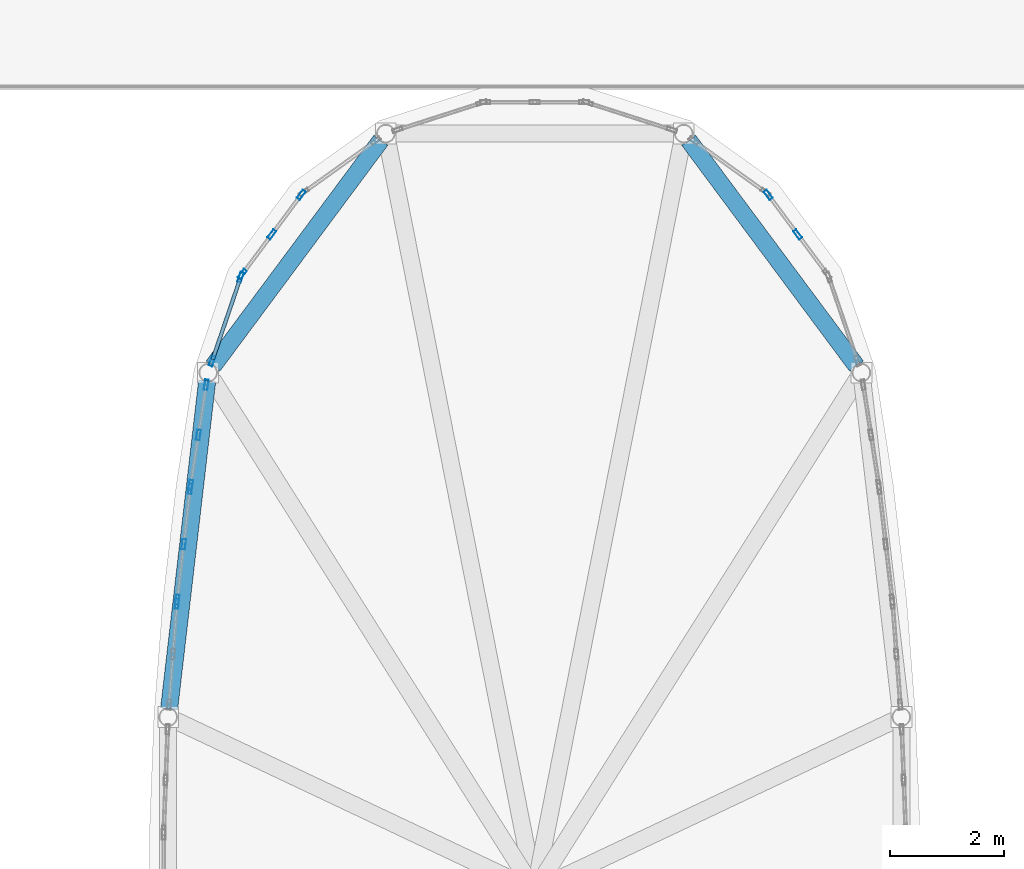
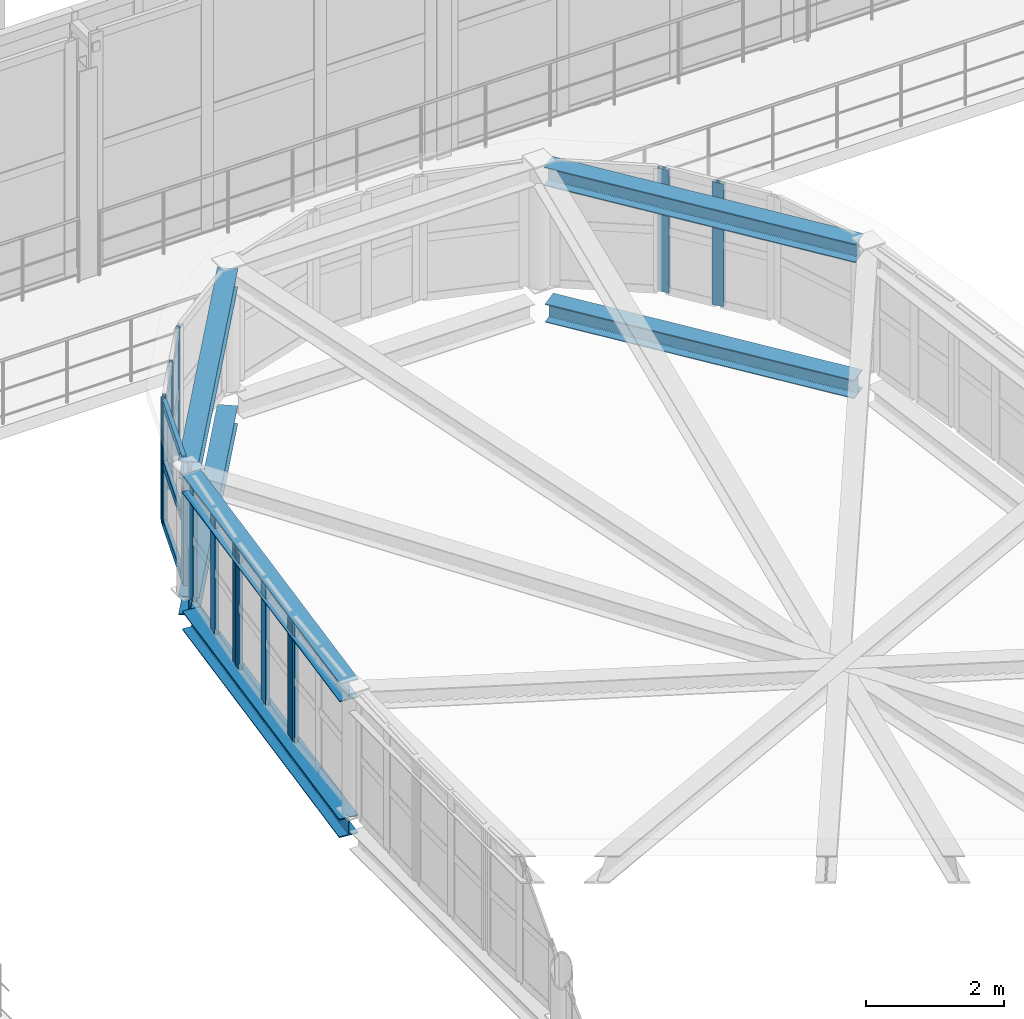
# One storey, part 35 of 78: 17 members, 6 beams, 6 elements without a shape of their own.
"""IFC4 building model written with IfcOpenShell, lengths in metres."""

from ifc_helpers import new_model, si_unit, direction, frame, origin, origin_2d, place, context, subcontext, project, spatial, hollow_rectangle, i_section, extrude, material, layer, layer_set, material_profile, profile_set, type_object, element, aggregate, save


model = new_model("IFC4")

# Units and contexts
model_context = context("Model", 3, precision=1e-05, world=origin(), true_north=direction((0.0, 1.0)))
body_context = subcontext(model_context, "Body", "Model", "MODEL_VIEW")
ifc_project = project(units=[si_unit("LENGTHUNIT", "METRE"), si_unit("AREAUNIT", "SQUARE_METRE"), si_unit("VOLUMEUNIT", "CUBIC_METRE"), si_unit("PLANEANGLEUNIT", "RADIAN"), si_unit("MASSUNIT", "GRAM", prefix="KILO")], contexts=[model_context])

# Site, building, storey
site_placement = place(None, origin())
site = spatial("IfcSite", under=ifc_project, at=site_placement, CompositionType="ELEMENT")
building_placement = place(site_placement, origin())
building = spatial("IfcBuilding", under=site, at=building_placement, Name="Vinh Khe Railworks Police Headquarters", CompositionType="ELEMENT")
storey_placement = place(building_placement, frame((0.0, 0.0, 13.199951171875)))
storey = spatial("IfcBuildingStorey", under=building, at=storey_placement, Name="L03", CompositionType="ELEMENT", Elevation=13.199951171875)

# Curtain wall, members
ifc_material_1 = material(Name="Anodised aluminium and acoustic laminated glass", Category="aluminium")
ifc_layer = layer(ifc_material_1, 0.159912109375)
ifc_layer_set = layer_set([ifc_layer], Name="Anodised aluminium and acoustic laminated glass")
curtain_wall_type = type_object("IfcCurtainWallType", Name="CW-DRUM-CHORD", PredefinedType="USERDEFINED", material=ifc_layer_set)
curtain_wall_1_placement = place(storey_placement, origin())
curtain_wall_1 = element("IfcCurtainWall", 1, at=curtain_wall_1_placement, inside=storey, type_object=curtain_wall_type, Name="Elliptical Command Drum Glazing L03 Chord 11", ObjectType="DRUM FACADE GLAZING", PredefinedType="USERDEFINED")
ifc_material_2 = material(Name="Anodised aluminium 6063-T6", Category="aluminium")
ifc_material_profile_1 = material_profile(ifc_material_2, hollow_rectangle(XDim=0.06494140625, YDim=0.179931640625, WallThickness=0.0048828125, at=origin_2d()), Name="CW-M 65x180x5")
ifc_profile_set_1 = profile_set([ifc_material_profile_1], Name="Anodised aluminium 6063-T6")
member_type_1 = type_object("IfcMemberType", Name="MULL-CWM-02", PredefinedType="MULLION", material=ifc_profile_set_1)
member_1_placement = place(storey_placement, frame((47.799072265625, 53.4736328125, 0.0), z_axis=(0.0, 0.0, 1.0), x_axis=(-0.802591949394, -0.596528425784, 0.0)))
member_1 = element("IfcMember", 2, at=member_1_placement, type_object=member_type_1, Name="CW-02 mullion 2", PredefinedType="MULLION", context=body_context, shape_type="SweptSolid", body=[
    extrude(hollow_rectangle(XDim=0.06494140625, YDim=0.179931640625, WallThickness=0.0048828125, at=origin_2d()), origin(), (0.0, 0.0, 1.0), 2.179931640625),
])
member_2_placement = place(storey_placement, frame((47.283447265625, 54.16748046875, 0.0), z_axis=(0.0, 0.0, 1.0), x_axis=(-0.802591949394, -0.596528425784, 0.0)))
member_2 = element("IfcMember", 3, at=member_2_placement, type_object=member_type_1, Name="CW-02 mullion 3", PredefinedType="MULLION", context=body_context, shape_type="SweptSolid", body=[
    extrude(hollow_rectangle(XDim=0.06494140625, YDim=0.179931640625, WallThickness=0.0048828125, at=origin_2d()), origin(), (0.0, 0.0, 1.0), 2.179931640625),
])
aggregate(curtain_wall_1, [member_1, member_2])

curtain_wall_2_placement = place(storey_placement, origin())
curtain_wall_2 = element("IfcCurtainWall", 4, at=curtain_wall_2_placement, inside=storey, type_object=curtain_wall_type, Name="Elliptical Command Drum Glazing L03 Chord 17", ObjectType="DRUM FACADE GLAZING", PredefinedType="USERDEFINED")
member_3_placement = place(storey_placement, frame((39.11669921875, 54.16748046875, 0.0), z_axis=(0.0, 0.0, 1.0), x_axis=(0.802591949394, -0.596528425784, 0.0)))
member_3 = element("IfcMember", 5, at=member_3_placement, type_object=member_type_1, Name="CW-02 mullion 1", PredefinedType="MULLION", context=body_context, shape_type="SweptSolid", body=[
    extrude(hollow_rectangle(XDim=0.06494140625, YDim=0.179931640625, WallThickness=0.0048828125, at=origin_2d()), origin(), (0.0, 0.0, 1.0), 2.179931640625),
])
member_4_placement = place(storey_placement, frame((38.60107421875, 53.4736328125, 0.0), z_axis=(0.0, 0.0, 1.0), x_axis=(0.802591949394, -0.596528425784, 0.0)))
member_4 = element("IfcMember", 6, at=member_4_placement, type_object=member_type_1, Name="CW-02 mullion 2", PredefinedType="MULLION", context=body_context, shape_type="SweptSolid", body=[
    extrude(hollow_rectangle(XDim=0.06494140625, YDim=0.179931640625, WallThickness=0.0048828125, at=origin_2d()), origin(), (0.0, 0.0, 1.0), 2.179931640625),
])
member_5_placement = place(storey_placement, frame((38.085205078125, 52.77978515625, 0.0), z_axis=(0.0, 0.0, 1.0), x_axis=(0.802591949394, -0.596528425784, 0.0)))
member_5 = element("IfcMember", 7, at=member_5_placement, type_object=member_type_1, Name="CW-02 mullion 3", PredefinedType="MULLION", context=body_context, shape_type="SweptSolid", body=[
    extrude(hollow_rectangle(XDim=0.06494140625, YDim=0.179931640625, WallThickness=0.0048828125, at=origin_2d()), origin(), (0.0, 0.0, 1.0), 2.179931640625),
])
aggregate(curtain_wall_2, [member_3, member_4, member_5])

curtain_wall_3_placement = place(storey_placement, origin())
curtain_wall_3 = element("IfcCurtainWall", 8, at=curtain_wall_3_placement, inside=storey, type_object=curtain_wall_type, Name="Elliptical Command Drum Glazing L03 Chord 18", ObjectType="DRUM FACADE GLAZING", PredefinedType="USERDEFINED")
member_6_placement = place(storey_placement, frame((38.055419921875, 52.72314453125, 0.0), z_axis=(0.0, 0.0, 1.0), x_axis=(0.946484607162, -0.322748955701, 0.0)))
member_6 = element("IfcMember", 9, at=member_6_placement, type_object=member_type_1, Name="CW-02 mullion 1", PredefinedType="MULLION", context=body_context, shape_type="SweptSolid", body=[
    extrude(hollow_rectangle(XDim=0.06494140625, YDim=0.179931640625, WallThickness=0.0048828125, at=origin_2d()), origin(), (0.0, 0.0, 1.0), 2.179931640625),
])
member_7_placement = place(storey_placement, frame((37.55615234375, 51.2587890625, 0.0), z_axis=(0.0, 0.0, 1.0), x_axis=(0.946484607162, -0.322748955701, 0.0)))
member_7 = element("IfcMember", 10, at=member_7_placement, type_object=member_type_1, Name="CW-02 mullion 2", PredefinedType="MULLION", context=body_context, shape_type="SweptSolid", body=[
    extrude(hollow_rectangle(XDim=0.06494140625, YDim=0.179931640625, WallThickness=0.0048828125, at=origin_2d()), origin(), (0.0, 0.0, 1.0), 2.179931640625),
])

curtain_wall_4_placement = place(storey_placement, origin())
curtain_wall_4 = element("IfcCurtainWall", 11, at=curtain_wall_4_placement, inside=storey, type_object=curtain_wall_type, Name="Elliptical Command Drum Glazing L03 Chord 19", ObjectType="DRUM FACADE GLAZING", PredefinedType="USERDEFINED")
member_8_placement = place(storey_placement, frame((37.4541015625, 50.843994140625, 0.0), z_axis=(0.0, 0.0, 1.0), x_axis=(0.988150371063, -0.153488905684, 0.0)))
member_8 = element("IfcMember", 12, at=member_8_placement, type_object=member_type_1, Name="CW-02 mullion 1", PredefinedType="MULLION", context=body_context, shape_type="SweptSolid", body=[
    extrude(hollow_rectangle(XDim=0.06494140625, YDim=0.179931640625, WallThickness=0.0048828125, at=origin_2d()), origin(), (0.0, 0.0, 1.0), 2.179931640625),
])
member_9_placement = place(storey_placement, frame((37.31787109375, 49.966796875, 0.0), z_axis=(0.0, 0.0, 1.0), x_axis=(0.988150371063, -0.153488905684, 0.0)))
member_9 = element("IfcMember", 13, at=member_9_placement, type_object=member_type_1, Name="CW-02 mullion 2", PredefinedType="MULLION", context=body_context, shape_type="SweptSolid", body=[
    extrude(hollow_rectangle(XDim=0.06494140625, YDim=0.179931640625, WallThickness=0.0048828125, at=origin_2d()), origin(), (0.0, 0.0, 1.0), 2.179931640625),
])
member_10_placement = place(storey_placement, frame((37.181396484375, 49.089599609375, 0.0), z_axis=(0.0, 0.0, 1.0), x_axis=(0.988150371063, -0.153488905684, 0.0)))
member_10 = element("IfcMember", 14, at=member_10_placement, type_object=member_type_1, Name="CW-02 mullion 3", PredefinedType="MULLION", context=body_context, shape_type="SweptSolid", body=[
    extrude(hollow_rectangle(XDim=0.06494140625, YDim=0.179931640625, WallThickness=0.0048828125, at=origin_2d()), origin(), (0.0, 0.0, 1.0), 2.179931640625),
])
aggregate(curtain_wall_4, [member_8, member_9, member_10])

curtain_wall_5_placement = place(storey_placement, origin())
curtain_wall_5 = element("IfcCurtainWall", 15, at=curtain_wall_5_placement, inside=storey, type_object=curtain_wall_type, Name="Elliptical Command Drum Glazing L03 Chord 20", ObjectType="DRUM FACADE GLAZING", PredefinedType="USERDEFINED")
member_11_placement = place(storey_placement, frame((37.1728515625, 49.025146484375, 0.0), z_axis=(0.0, 0.0, 1.0), x_axis=(0.993328656296, -0.115317737498, 0.0)))
member_11 = element("IfcMember", 16, at=member_11_placement, type_object=member_type_1, Name="CW-02 mullion 1", PredefinedType="MULLION", context=body_context, shape_type="SweptSolid", body=[
    extrude(hollow_rectangle(XDim=0.06494140625, YDim=0.179931640625, WallThickness=0.0048828125, at=origin_2d()), origin(), (0.0, 0.0, 1.0), 2.179931640625),
])
member_12_placement = place(storey_placement, frame((37.059814453125, 48.052978515625, 0.0), z_axis=(0.0, 0.0, 1.0), x_axis=(0.993328656296, -0.115317737498, 0.0)))
member_12 = element("IfcMember", 17, at=member_12_placement, type_object=member_type_1, Name="CW-02 mullion 2", PredefinedType="MULLION", context=body_context, shape_type="SweptSolid", body=[
    extrude(hollow_rectangle(XDim=0.06494140625, YDim=0.179931640625, WallThickness=0.0048828125, at=origin_2d()), origin(), (0.0, 0.0, 1.0), 2.179931640625),
])
member_13_placement = place(storey_placement, frame((36.947021484375, 47.080810546875, 0.0), z_axis=(0.0, 0.0, 1.0), x_axis=(0.993328656296, -0.115317737498, 0.0)))
member_13 = element("IfcMember", 18, at=member_13_placement, type_object=member_type_1, Name="CW-02 mullion 3", PredefinedType="MULLION", context=body_context, shape_type="SweptSolid", body=[
    extrude(hollow_rectangle(XDim=0.06494140625, YDim=0.179931640625, WallThickness=0.0048828125, at=origin_2d()), origin(), (0.0, 0.0, 1.0), 2.179931640625),
])
aggregate(curtain_wall_5, [member_11, member_12, member_13])

# Curtain wall, member
curtain_wall_6_placement = place(storey_placement, origin())
curtain_wall_6 = element("IfcCurtainWall", 19, at=curtain_wall_6_placement, inside=storey, type_object=curtain_wall_type, Name="Elliptical Command Drum Glazing L03 Chord 21", ObjectType="DRUM FACADE GLAZING", PredefinedType="USERDEFINED")
member_14_placement = place(storey_placement, frame((36.94091796875, 47.01611328125, 0.0), z_axis=(0.0, 0.0, 1.0), x_axis=(0.997033481847, -0.076969059213, 0.0)))
member_14 = element("IfcMember", 20, at=member_14_placement, type_object=member_type_1, Name="CW-02 mullion 1", PredefinedType="MULLION", context=body_context, shape_type="SweptSolid", body=[
    extrude(hollow_rectangle(XDim=0.06494140625, YDim=0.179931640625, WallThickness=0.0048828125, at=origin_2d()), origin(), (0.0, 0.0, 1.0), 2.179931640625),
])
aggregate(curtain_wall_6, [member_14])

# Beams
ifc_material_3 = material(Name="Steel S355JR", Category="steel")
ifc_material_profile_2 = material_profile(ifc_material_3, i_section(OverallWidth=0.300048828125, OverallDepth=0.330078125, WebThickness=0.009521484375, FlangeThickness=0.0166015625, FilletRadius=0.027099609375, at=origin_2d()), Name="HEA 340")
ifc_profile_set_2 = profile_set([ifc_material_profile_2], Name="Steel S355JR")
beam_type = type_object("IfcBeamType", Name="Steel Girder HEA 340", PredefinedType="BEAM", material=ifc_profile_set_2)
for number, where, z_axis, x_axis, name in (
    (21, (48.819091796875, 51.1826171875, -0.385009765625), (-0.596562747414, 0.802566438619, 0.0), (-0.802566438619, -0.596562747414, 0.0), "Drum Ring Girder BM-L03-DRUM-SB-16-1279"),
    (22, (40.500732421875, 55.11083984375, -0.385009765625), (-0.596530617739, -0.802590320213, 0.0), (0.802590320213, -0.596530617739, 0.0), "Drum Ring Girder BM-L03-DRUM-SB-16-1281"),
):
    element("IfcBeam", number, at=place(storey_placement, frame(where, z_axis=z_axis, x_axis=x_axis)), inside=storey, type_object=beam_type, Name=name, PredefinedType="BEAM", context=body_context, shape_type="SweptSolid", body=[
        extrude(i_section(OverallWidth=0.300048828125, OverallDepth=0.330078125, WebThickness=0.009521484375, FlangeThickness=0.0166015625, FilletRadius=0.027099609375, at=origin_2d()), origin(), (0.0, 0.0, 1.0), 4.89453125),
    ])
beam_1_placement = place(storey_placement, frame((37.46875, 50.899169921875, -0.385009765625), z_axis=(-0.115301092257, -0.993330588538, 0.0), x_axis=(0.993330588538, -0.115301092257, 0.0)))
element("IfcBeam", 23, at=beam_1_placement, inside=storey, type_object=beam_type, Name="Drum Ring Girder BM-L03-DRUM-SB-16-1282", PredefinedType="BEAM", context=body_context, shape_type="SweptSolid", body=[
    extrude(i_section(OverallWidth=0.300048828125, OverallDepth=0.330078125, WebThickness=0.009521484375, FlangeThickness=0.0166015625, FilletRadius=0.027099609375, at=origin_2d()), origin(), (0.0, 0.0, 1.0), 5.748779296875),
])
beam_2_placement = place(storey_placement, frame((48.828369140625, 51.169921875, 2.03515625), z_axis=(-0.596521081852, 0.802597407737, 0.0), x_axis=(-0.802597407737, -0.596521081852, 0.0)))
element("IfcBeam", 24, at=beam_2_placement, inside=storey, type_object=beam_type, Name="Drum Ring Girder BM-L03-DRUM-SB-16-1485", PredefinedType="BEAM", context=body_context, shape_type="SweptSolid", body=[
    extrude(i_section(OverallWidth=0.300048828125, OverallDepth=0.330078125, WebThickness=0.009521484375, FlangeThickness=0.0166015625, FilletRadius=0.027099609375, at=origin_2d()), origin(), (0.0, 0.0, 1.0), 4.926025390625),
])
beam_3_placement = place(storey_placement, frame((40.51025390625, 55.12353515625, 2.03515625), z_axis=(-0.596553006041, -0.802573679474, 0.0), x_axis=(0.802573679474, -0.596553006041, 0.0)))
element("IfcBeam", 25, at=beam_3_placement, inside=storey, type_object=beam_type, Name="Drum Ring Girder BM-L03-DRUM-SB-16-1487", PredefinedType="BEAM", context=body_context, shape_type="SweptSolid", body=[
    extrude(i_section(OverallWidth=0.300048828125, OverallDepth=0.330078125, WebThickness=0.009521484375, FlangeThickness=0.0166015625, FilletRadius=0.027099609375, at=origin_2d()), origin(), (0.0, 0.0, 1.0), 4.92626953125),
])
beam_4_placement = place(storey_placement, frame((37.470458984375, 50.914794921875, 2.03515625), z_axis=(-0.115307025533, -0.993329899813, 0.0), x_axis=(0.993329899813, -0.115307025533, 0.0)))
element("IfcBeam", 26, at=beam_4_placement, inside=storey, type_object=beam_type, Name="Drum Ring Girder BM-L03-DRUM-SB-16-1488", PredefinedType="BEAM", context=body_context, shape_type="SweptSolid", body=[
    extrude(i_section(OverallWidth=0.300048828125, OverallDepth=0.330078125, WebThickness=0.009521484375, FlangeThickness=0.0166015625, FilletRadius=0.027099609375, at=origin_2d()), origin(), (0.0, 0.0, 1.0), 5.7802734375),
])

# Member
ifc_material_profile_3 = material_profile(ifc_material_2, hollow_rectangle(XDim=0.06494140625, YDim=0.139892578125, WallThickness=0.00390625, at=origin_2d()), Name="CW-T 65x140x4")
ifc_profile_set_3 = profile_set([ifc_material_profile_3], Name="Anodised aluminium 6063-T6")
member_type_2 = type_object("IfcMemberType", Name="TRAN-CWT-02", PredefinedType="USERDEFINED", material=ifc_profile_set_3)
member_15_placement = place(storey_placement, frame((38.044921875, 52.6923828125, 0.032470703125), z_axis=(-0.322694051316, -0.946503327646, 0.0), x_axis=(0.946503327646, -0.322694051316, 0.0)))
member_15 = element("IfcMember", 27, at=member_15_placement, type_object=member_type_2, Name="CW-02 transom 1.1", ObjectType="TRANSOM", PredefinedType="USERDEFINED", context=body_context, shape_type="SweptSolid", body=[
    extrude(hollow_rectangle(XDim=0.06494140625, YDim=0.139892578125, WallThickness=0.00390625, at=origin_2d()), origin(), (0.0, 0.0, 1.0), 1.482177734375),
])

member_16_placement = place(storey_placement, frame((38.044921875, 52.6923828125, 1.090087890625), z_axis=(-0.322694051316, -0.946503327646, 0.0), x_axis=(0.946503327646, -0.322694051316, 0.0)))
member_16 = element("IfcMember", 28, at=member_16_placement, type_object=member_type_2, Name="CW-02 transom 1.2", ObjectType="TRANSOM", PredefinedType="USERDEFINED", context=body_context, shape_type="SweptSolid", body=[
    extrude(hollow_rectangle(XDim=0.06494140625, YDim=0.139892578125, WallThickness=0.00390625, at=origin_2d()), origin(), (0.0, 0.0, 1.0), 1.482177734375),
])

member_17_placement = place(storey_placement, frame((38.044921875, 52.6923828125, 2.1474609375), z_axis=(-0.322694051316, -0.946503327646, 0.0), x_axis=(0.946503327646, -0.322694051316, 0.0)))
member_17 = element("IfcMember", 29, at=member_17_placement, type_object=member_type_2, Name="CW-02 transom 1.3", ObjectType="TRANSOM", PredefinedType="USERDEFINED", context=body_context, shape_type="SweptSolid", body=[
    extrude(hollow_rectangle(XDim=0.06494140625, YDim=0.139892578125, WallThickness=0.00390625, at=origin_2d()), origin(), (0.0, 0.0, 1.0), 1.482177734375),
])

aggregate(curtain_wall_3, [member_6, member_7, member_15, member_16, member_17])

save(model, "model.ifc")
